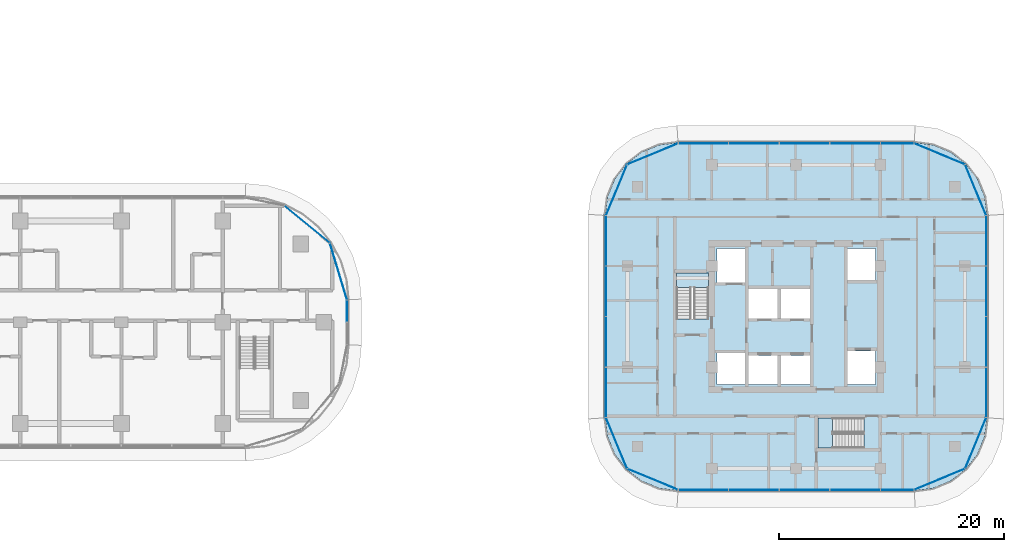
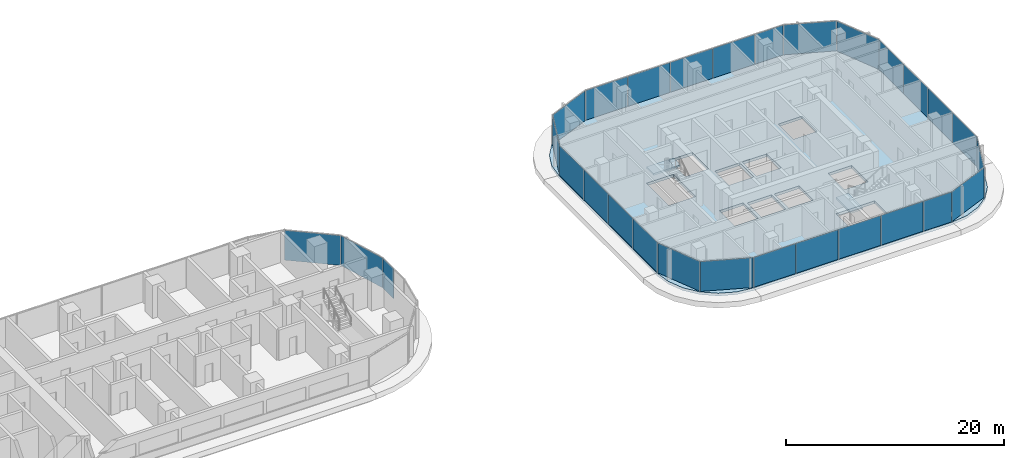
# One storey, part 16 of 36: 29 plates, 3 slabs, 12 elements without a shape of their own.
"""IFC4 building model written with IfcOpenShell, lengths in metres."""

from ifc_helpers import new_model, si_unit, direction, frame, origin, origin_2d, place, context, subcontext, project, spatial, polyline, rectangle, outline, extrude, material, layer, layer_set, type_object, element, aggregate, save


model = new_model("IFC4")

# Units and contexts
model_context = context("Model", 3, precision=1e-05, world=origin(), true_north=direction((0.0, 1.0)))
body_context = subcontext(model_context, "Body", "Model", "MODEL_VIEW")
ifc_project = project(units=[si_unit("LENGTHUNIT", "METRE"), si_unit("AREAUNIT", "SQUARE_METRE"), si_unit("VOLUMEUNIT", "CUBIC_METRE"), si_unit("PLANEANGLEUNIT", "RADIAN"), si_unit("MASSUNIT", "GRAM", prefix="KILO")], contexts=[model_context])

# Site, building, storey
site_placement = place(None, origin())
site = spatial("IfcSite", under=ifc_project, at=site_placement, CompositionType="ELEMENT")
building_placement = place(site_placement, origin())
building = spatial("IfcBuilding", under=site, at=building_placement, Name="Ogive Portal Towers", CompositionType="ELEMENT")
storey_placement = place(building_placement, frame((0.0, 0.0, 52.0)))
storey = spatial("IfcBuildingStorey", under=building, at=storey_placement, Name="L11", CompositionType="ELEMENT", Elevation=52.0)

# Curtain wall, plate
ifc_material_1 = material(Name="Glass, clear low-iron insulated glazing", Category="glass")
curtain_wall_type_1 = type_object("IfcCurtainWallType", Name="CW FRONT RIBBON 4500", PredefinedType="NOTDEFINED", material=ifc_material_1)
curtain_wall_1_placement = place(storey_placement, origin())
curtain_wall_1 = element("IfcCurtainWall", 1, at=curtain_wall_1_placement, inside=storey, type_object=curtain_wall_type_1, Name="A:L11:f12:cw0", PredefinedType="NOTDEFINED")
ifc_layer_1 = layer(ifc_material_1, 0.028076171875)
ifc_layer_set_1 = layer_set([ifc_layer_1], Name="CW PANEL IGU 28")
plate_type = type_object("IfcPlateType", Name="CW PANEL IGU 28", PredefinedType="CURTAIN_PANEL", material=ifc_layer_set_1)
plate_1_placement = place(storey_placement, frame((96.56494140625, 31.494140625, 0.0), z_axis=(0.0, 0.0, 1.0), x_axis=(0.0, 1.0, 0.0)))
plate_1 = element("IfcPlate", 2, at=plate_1_placement, type_object=plate_type, Name="panel", PredefinedType="CURTAIN_PANEL", context=body_context, shape_type="SweptSolid", body=[
    extrude(rectangle(XDim=1.92822265625, YDim=0.028076171875, at=origin_2d()), origin(), (0.0, 0.0, 1.0), 3.340087890625),
])
aggregate(curtain_wall_1, [plate_1])

# Curtain wall, plates
curtain_wall_2_placement = place(storey_placement, origin())
curtain_wall_2 = element("IfcCurtainWall", 3, at=curtain_wall_2_placement, inside=storey, type_object=curtain_wall_type_1, Name="A:L11:f13:cwa", PredefinedType="NOTDEFINED")
plate_2_placement = place(storey_placement, frame((95.799560546875, 35.01123046875, 0.0), z_axis=(0.0, 0.0, 1.0), x_axis=(-0.290284677254, 0.956940335732, 0.0)))
plate_2 = element("IfcPlate", 4, at=plate_2_placement, type_object=plate_type, Name="panel", PredefinedType="CURTAIN_PANEL", context=body_context, shape_type="SweptSolid", body=[
    extrude(rectangle(XDim=5.213134765625, YDim=0.028076171875, at=origin_2d()), origin(), (0.0, 0.0, 1.0), 3.340087890625),
])
plate_3_placement = place(storey_placement, frame((92.999267578125, 39.204345703125, 0.0), z_axis=(0.0, 0.0, 1.0), x_axis=(-0.773010453363, 0.634393284164, 0.0)))
plate_3 = element("IfcPlate", 5, at=plate_3_placement, type_object=plate_type, Name="panel", PredefinedType="CURTAIN_PANEL", context=body_context, shape_type="SweptSolid", body=[
    extrude(rectangle(XDim=5.205078125, YDim=0.028076171875, at=origin_2d()), origin(), (0.0, 0.0, 1.0), 3.340087890625),
])
aggregate(curtain_wall_2, [plate_2, plate_3])

curtain_wall_type_2 = type_object("IfcCurtainWallType", Name="CW RESIDENCES RIBBON", PredefinedType="NOTDEFINED", material=ifc_material_1)
curtain_wall_3_placement = place(storey_placement, origin())
curtain_wall_3 = element("IfcCurtainWall", 6, at=curtain_wall_3_placement, inside=storey, type_object=curtain_wall_type_2, Name="B:L11:f02:cw0", PredefinedType="NOTDEFINED")
plate_4_placement = place(storey_placement, frame((128.258056640625, 15.590087890625, 0.0), z_axis=(0.0, 0.0, 1.0), x_axis=(1.0, 0.0, 0.0)))
plate_4 = element("IfcPlate", 7, at=plate_4_placement, type_object=plate_type, Name="panel", PredefinedType="CURTAIN_PANEL", context=body_context, shape_type="SweptSolid", body=[
    extrude(rectangle(XDim=4.424072265625, YDim=0.028076171875, at=origin_2d()), origin(), (0.0, 0.0, 1.0), 3.340087890625),
])
plate_5_placement = place(storey_placement, frame((132.75, 15.590087890625, 0.0), z_axis=(0.0, 0.0, 1.0), x_axis=(1.0, 0.0, 0.0)))
plate_5 = element("IfcPlate", 8, at=plate_5_placement, type_object=plate_type, Name="panel", PredefinedType="CURTAIN_PANEL", context=body_context, shape_type="SweptSolid", body=[
    extrude(rectangle(XDim=4.43994140625, YDim=0.028076171875, at=origin_2d()), origin(), (0.0, 0.0, 1.0), 3.340087890625),
])
plate_6_placement = place(storey_placement, frame((137.25, 15.590087890625, 0.0), z_axis=(0.0, 0.0, 1.0), x_axis=(1.0, 0.0, 0.0)))
plate_6 = element("IfcPlate", 9, at=plate_6_placement, type_object=plate_type, Name="panel", PredefinedType="CURTAIN_PANEL", context=body_context, shape_type="SweptSolid", body=[
    extrude(rectangle(XDim=4.43994140625, YDim=0.028076171875, at=origin_2d()), origin(), (0.0, 0.0, 1.0), 3.340087890625),
])
plate_7_placement = place(storey_placement, frame((141.75, 15.590087890625, 0.0), z_axis=(0.0, 0.0, 1.0), x_axis=(1.0, 0.0, 0.0)))
plate_7 = element("IfcPlate", 10, at=plate_7_placement, type_object=plate_type, Name="panel", PredefinedType="CURTAIN_PANEL", context=body_context, shape_type="SweptSolid", body=[
    extrude(rectangle(XDim=4.43994140625, YDim=0.028076171875, at=origin_2d()), origin(), (0.0, 0.0, 1.0), 3.340087890625),
])
plate_8_placement = place(storey_placement, frame((145.491943359375, 15.590087890625, 0.0), z_axis=(0.0, 0.0, 1.0), x_axis=(1.0, 0.0, 0.0)))
plate_8 = element("IfcPlate", 11, at=plate_8_placement, type_object=plate_type, Name="panel", PredefinedType="CURTAIN_PANEL", context=body_context, shape_type="SweptSolid", body=[
    extrude(rectangle(XDim=2.924072265625, YDim=0.028076171875, at=origin_2d()), origin(), (0.0, 0.0, 1.0), 3.340087890625),
])
aggregate(curtain_wall_3, [plate_4, plate_5, plate_6, plate_7, plate_8])

curtain_wall_4_placement = place(storey_placement, origin())
curtain_wall_4 = element("IfcCurtainWall", 12, at=curtain_wall_4_placement, inside=storey, type_object=curtain_wall_type_2, Name="B:L11:f05:cw0", PredefinedType="NOTDEFINED")
plate_9_placement = place(storey_placement, frame((153.409912109375, 24.258056640625, 0.0), z_axis=(0.0, 0.0, 1.0), x_axis=(0.0, 1.0, 0.0)))
plate_9 = element("IfcPlate", 13, at=plate_9_placement, type_object=plate_type, Name="panel", PredefinedType="CURTAIN_PANEL", context=body_context, shape_type="SweptSolid", body=[
    extrude(rectangle(XDim=4.424072265625, YDim=0.028076171875, at=origin_2d()), origin(), (0.0, 0.0, 1.0), 3.340087890625),
])
plate_10_placement = place(storey_placement, frame((153.409912109375, 28.75, 0.0), z_axis=(0.0, 0.0, 1.0), x_axis=(0.0, 1.0, 0.0)))
plate_10 = element("IfcPlate", 14, at=plate_10_placement, type_object=plate_type, Name="panel", PredefinedType="CURTAIN_PANEL", context=body_context, shape_type="SweptSolid", body=[
    extrude(rectangle(XDim=4.43994140625, YDim=0.028076171875, at=origin_2d()), origin(), (0.0, 0.0, 1.0), 3.340087890625),
])
plate_11_placement = place(storey_placement, frame((153.409912109375, 33.25, 0.0), z_axis=(0.0, 0.0, 1.0), x_axis=(0.0, 1.0, 0.0)))
plate_11 = element("IfcPlate", 15, at=plate_11_placement, type_object=plate_type, Name="panel", PredefinedType="CURTAIN_PANEL", context=body_context, shape_type="SweptSolid", body=[
    extrude(rectangle(XDim=4.43994140625, YDim=0.028076171875, at=origin_2d()), origin(), (0.0, 0.0, 1.0), 3.340087890625),
])
plate_12_placement = place(storey_placement, frame((153.409912109375, 37.741943359375, 0.0), z_axis=(0.0, 0.0, 1.0), x_axis=(0.0, 1.0, 0.0)))
plate_12 = element("IfcPlate", 16, at=plate_12_placement, type_object=plate_type, Name="panel", PredefinedType="CURTAIN_PANEL", context=body_context, shape_type="SweptSolid", body=[
    extrude(rectangle(XDim=4.424072265625, YDim=0.028076171875, at=origin_2d()), origin(), (0.0, 0.0, 1.0), 3.340087890625),
])
aggregate(curtain_wall_4, [plate_9, plate_10, plate_11, plate_12])

curtain_wall_5_placement = place(storey_placement, origin())
curtain_wall_5 = element("IfcCurtainWall", 17, at=curtain_wall_5_placement, inside=storey, type_object=curtain_wall_type_2, Name="B:L11:f08:cw0", PredefinedType="NOTDEFINED")
plate_13_placement = place(storey_placement, frame((145.491943359375, 46.409912109375, 0.0), z_axis=(0.0, 0.0, 1.0), x_axis=(-1.0, 0.0, 0.0)))
plate_13 = element("IfcPlate", 18, at=plate_13_placement, type_object=plate_type, Name="panel", PredefinedType="CURTAIN_PANEL", context=body_context, shape_type="SweptSolid", body=[
    extrude(rectangle(XDim=2.924072265625, YDim=0.028076171875, at=origin_2d()), origin(), (0.0, 0.0, 1.0), 3.340087890625),
])
plate_14_placement = place(storey_placement, frame((141.75, 46.409912109375, 0.0), z_axis=(0.0, 0.0, 1.0), x_axis=(-1.0, 0.0, 0.0)))
plate_14 = element("IfcPlate", 19, at=plate_14_placement, type_object=plate_type, Name="panel", PredefinedType="CURTAIN_PANEL", context=body_context, shape_type="SweptSolid", body=[
    extrude(rectangle(XDim=4.43994140625, YDim=0.028076171875, at=origin_2d()), origin(), (0.0, 0.0, 1.0), 3.340087890625),
])
plate_15_placement = place(storey_placement, frame((137.25, 46.409912109375, 0.0), z_axis=(0.0, 0.0, 1.0), x_axis=(-1.0, 0.0, 0.0)))
plate_15 = element("IfcPlate", 20, at=plate_15_placement, type_object=plate_type, Name="panel", PredefinedType="CURTAIN_PANEL", context=body_context, shape_type="SweptSolid", body=[
    extrude(rectangle(XDim=4.43994140625, YDim=0.028076171875, at=origin_2d()), origin(), (0.0, 0.0, 1.0), 3.340087890625),
])
plate_16_placement = place(storey_placement, frame((132.75, 46.409912109375, 0.0), z_axis=(0.0, 0.0, 1.0), x_axis=(-1.0, 0.0, 0.0)))
plate_16 = element("IfcPlate", 21, at=plate_16_placement, type_object=plate_type, Name="panel", PredefinedType="CURTAIN_PANEL", context=body_context, shape_type="SweptSolid", body=[
    extrude(rectangle(XDim=4.43994140625, YDim=0.028076171875, at=origin_2d()), origin(), (0.0, 0.0, 1.0), 3.340087890625),
])
plate_17_placement = place(storey_placement, frame((128.258056640625, 46.409912109375, 0.0), z_axis=(0.0, 0.0, 1.0), x_axis=(-1.0, 0.0, 0.0)))
plate_17 = element("IfcPlate", 22, at=plate_17_placement, type_object=plate_type, Name="panel", PredefinedType="CURTAIN_PANEL", context=body_context, shape_type="SweptSolid", body=[
    extrude(rectangle(XDim=4.424072265625, YDim=0.028076171875, at=origin_2d()), origin(), (0.0, 0.0, 1.0), 3.340087890625),
])
aggregate(curtain_wall_5, [plate_13, plate_14, plate_15, plate_16, plate_17])

curtain_wall_6_placement = place(storey_placement, origin())
curtain_wall_6 = element("IfcCurtainWall", 23, at=curtain_wall_6_placement, inside=storey, type_object=curtain_wall_type_2, Name="B:L11:f11:cw0", PredefinedType="NOTDEFINED")
plate_18_placement = place(storey_placement, frame((119.590087890625, 37.741943359375, 0.0), z_axis=(0.0, 0.0, 1.0), x_axis=(0.0, -1.0, 0.0)))
plate_18 = element("IfcPlate", 24, at=plate_18_placement, type_object=plate_type, Name="panel", PredefinedType="CURTAIN_PANEL", context=body_context, shape_type="SweptSolid", body=[
    extrude(rectangle(XDim=4.424072265625, YDim=0.028076171875, at=origin_2d()), origin(), (0.0, 0.0, 1.0), 3.340087890625),
])
plate_19_placement = place(storey_placement, frame((119.590087890625, 33.25, 0.0), z_axis=(0.0, 0.0, 1.0), x_axis=(0.0, -1.0, 0.0)))
plate_19 = element("IfcPlate", 25, at=plate_19_placement, type_object=plate_type, Name="panel", PredefinedType="CURTAIN_PANEL", context=body_context, shape_type="SweptSolid", body=[
    extrude(rectangle(XDim=4.43994140625, YDim=0.028076171875, at=origin_2d()), origin(), (0.0, 0.0, 1.0), 3.340087890625),
])
plate_20_placement = place(storey_placement, frame((119.590087890625, 28.75, 0.0), z_axis=(0.0, 0.0, 1.0), x_axis=(0.0, -1.0, 0.0)))
plate_20 = element("IfcPlate", 26, at=plate_20_placement, type_object=plate_type, Name="panel", PredefinedType="CURTAIN_PANEL", context=body_context, shape_type="SweptSolid", body=[
    extrude(rectangle(XDim=4.43994140625, YDim=0.028076171875, at=origin_2d()), origin(), (0.0, 0.0, 1.0), 3.340087890625),
])
plate_21_placement = place(storey_placement, frame((119.590087890625, 24.258056640625, 0.0), z_axis=(0.0, 0.0, 1.0), x_axis=(0.0, -1.0, 0.0)))
plate_21 = element("IfcPlate", 27, at=plate_21_placement, type_object=plate_type, Name="panel", PredefinedType="CURTAIN_PANEL", context=body_context, shape_type="SweptSolid", body=[
    extrude(rectangle(XDim=4.424072265625, YDim=0.028076171875, at=origin_2d()), origin(), (0.0, 0.0, 1.0), 3.340087890625),
])
aggregate(curtain_wall_6, [plate_18, plate_19, plate_20, plate_21])

curtain_wall_7_placement = place(storey_placement, origin())
curtain_wall_7 = element("IfcCurtainWall", 28, at=curtain_wall_7_placement, inside=storey, type_object=curtain_wall_type_2, Name="B:L11:f00:cwa", PredefinedType="NOTDEFINED")
plate_22_placement = place(storey_placement, frame((120.531005859375, 19.743896484375, 0.0), z_axis=(0.0, 0.0, 1.0), x_axis=(0.382683432365, -0.923879532511, 0.0)))
plate_22 = element("IfcPlate", 29, at=plate_22_placement, type_object=plate_type, Name="panel", PredefinedType="CURTAIN_PANEL", context=body_context, shape_type="SweptSolid", body=[
    extrude(rectangle(XDim=4.858154296875, YDim=0.028076171875, at=origin_2d()), origin(), (0.0, 0.0, 1.0), 3.340087890625),
])
plate_23_placement = place(storey_placement, frame((123.743896484375, 16.531005859375, 0.0), z_axis=(0.0, 0.0, 1.0), x_axis=(0.923879532511, -0.382683432365, 0.0)))
plate_23 = element("IfcPlate", 30, at=plate_23_placement, type_object=plate_type, Name="panel", PredefinedType="CURTAIN_PANEL", context=body_context, shape_type="SweptSolid", body=[
    extrude(rectangle(XDim=4.858154296875, YDim=0.028076171875, at=origin_2d()), origin(), (0.0, 0.0, 1.0), 3.340087890625),
])
aggregate(curtain_wall_7, [plate_22, plate_23])

curtain_wall_8_placement = place(storey_placement, origin())
curtain_wall_8 = element("IfcCurtainWall", 31, at=curtain_wall_8_placement, inside=storey, type_object=curtain_wall_type_2, Name="B:L11:f03:cwa", PredefinedType="NOTDEFINED")
plate_24_placement = place(storey_placement, frame((149.256103515625, 16.531005859375, 0.0), z_axis=(0.0, 0.0, 1.0), x_axis=(0.923879532511, 0.382683432365, 0.0)))
plate_24 = element("IfcPlate", 32, at=plate_24_placement, type_object=plate_type, Name="panel", PredefinedType="CURTAIN_PANEL", context=body_context, shape_type="SweptSolid", body=[
    extrude(rectangle(XDim=4.858154296875, YDim=0.028076171875, at=origin_2d()), origin(), (0.0, 0.0, 1.0), 3.340087890625),
])
plate_25_placement = place(storey_placement, frame((152.468994140625, 19.743896484375, 0.0), z_axis=(0.0, 0.0, 1.0), x_axis=(0.382683432365, 0.923879532511, 0.0)))
plate_25 = element("IfcPlate", 33, at=plate_25_placement, type_object=plate_type, Name="panel", PredefinedType="CURTAIN_PANEL", context=body_context, shape_type="SweptSolid", body=[
    extrude(rectangle(XDim=4.858154296875, YDim=0.028076171875, at=origin_2d()), origin(), (0.0, 0.0, 1.0), 3.340087890625),
])
aggregate(curtain_wall_8, [plate_24, plate_25])

curtain_wall_9_placement = place(storey_placement, origin())
curtain_wall_9 = element("IfcCurtainWall", 34, at=curtain_wall_9_placement, inside=storey, type_object=curtain_wall_type_2, Name="B:L11:f06:cwa", PredefinedType="NOTDEFINED")
plate_26_placement = place(storey_placement, frame((152.468994140625, 42.256103515625, 0.0), z_axis=(0.0, 0.0, 1.0), x_axis=(-0.382683432365, 0.923879532511, 0.0)))
plate_26 = element("IfcPlate", 35, at=plate_26_placement, type_object=plate_type, Name="panel", PredefinedType="CURTAIN_PANEL", context=body_context, shape_type="SweptSolid", body=[
    extrude(rectangle(XDim=4.858154296875, YDim=0.028076171875, at=origin_2d()), origin(), (0.0, 0.0, 1.0), 3.340087890625),
])
plate_27_placement = place(storey_placement, frame((149.256103515625, 45.468994140625, 0.0), z_axis=(0.0, 0.0, 1.0), x_axis=(-0.923879532511, 0.382683432365, 0.0)))
plate_27 = element("IfcPlate", 36, at=plate_27_placement, type_object=plate_type, Name="panel", PredefinedType="CURTAIN_PANEL", context=body_context, shape_type="SweptSolid", body=[
    extrude(rectangle(XDim=4.858154296875, YDim=0.028076171875, at=origin_2d()), origin(), (0.0, 0.0, 1.0), 3.340087890625),
])
aggregate(curtain_wall_9, [plate_26, plate_27])

curtain_wall_10_placement = place(storey_placement, origin())
curtain_wall_10 = element("IfcCurtainWall", 37, at=curtain_wall_10_placement, inside=storey, type_object=curtain_wall_type_2, Name="B:L11:f09:cwa", PredefinedType="NOTDEFINED")
plate_28_placement = place(storey_placement, frame((123.743896484375, 45.468994140625, 0.0), z_axis=(0.0, 0.0, 1.0), x_axis=(-0.923879532511, -0.382683432365, 0.0)))
plate_28 = element("IfcPlate", 38, at=plate_28_placement, type_object=plate_type, Name="panel", PredefinedType="CURTAIN_PANEL", context=body_context, shape_type="SweptSolid", body=[
    extrude(rectangle(XDim=4.858154296875, YDim=0.028076171875, at=origin_2d()), origin(), (0.0, 0.0, 1.0), 3.340087890625),
])
plate_29_placement = place(storey_placement, frame((120.531005859375, 42.256103515625, 0.0), z_axis=(0.0, 0.0, 1.0), x_axis=(-0.382683432365, -0.923879532511, 0.0)))
plate_29 = element("IfcPlate", 39, at=plate_29_placement, type_object=plate_type, Name="panel", PredefinedType="CURTAIN_PANEL", context=body_context, shape_type="SweptSolid", body=[
    extrude(rectangle(XDim=4.858154296875, YDim=0.028076171875, at=origin_2d()), origin(), (0.0, 0.0, 1.0), 3.340087890625),
])
aggregate(curtain_wall_10, [plate_28, plate_29])

# Stair, slab
ifc_material_2 = material(Name="Concrete C40/50", Category="concrete")
stair_type = type_object("IfcStairType", Name="INT-STAIR", PredefinedType="HALF_TURN_STAIR", material=ifc_material_2)
stair_1_placement = place(storey_placement, origin())
stair_1 = element("IfcStair", 40, at=stair_1_placement, inside=storey, type_object=stair_type, Name="L11 Exit Stair ST-B1", PredefinedType="HALF_TURN_STAIR")
ifc_layer_2 = layer(ifc_material_2, 0.199951171875)
ifc_layer_set_2 = layer_set([ifc_layer_2], Name="INT-LANDING")
slab_type_1 = type_object("IfcSlabType", Name="INT-LANDING", PredefinedType="LANDING", material=ifc_layer_set_2)
slab_1_placement = place(storey_placement, frame((0.0, 0.0, 1.64990234375)))
slab_1 = element("IfcSlab", 41, at=slab_1_placement, type_object=slab_type_1, Name="ST-B1 landing 1", PredefinedType="LANDING", context=body_context, shape_type="SweptSolid", body=[
    extrude(outline(polyline([(128.699951171875, 33.60009765625), (128.699951171875, 34.89990234375), (125.85009765625, 34.89990234375), (125.85009765625, 33.60009765625), (128.699951171875, 33.60009765625)])), origin(), (0.0, 0.0, 1.0), 0.2001953125),
])
aggregate(stair_1, [slab_1])

stair_2_placement = place(storey_placement, origin())
stair_2 = element("IfcStair", 42, at=stair_2_placement, inside=storey, type_object=stair_type, Name="L11 Exit Stair ST-B2", PredefinedType="HALF_TURN_STAIR")
slab_2_placement = place(storey_placement, frame((0.0, 0.0, 1.64990234375)))
slab_2 = element("IfcSlab", 43, at=slab_2_placement, type_object=slab_type_1, Name="ST-B2 landing 1", PredefinedType="LANDING", context=body_context, shape_type="SweptSolid", body=[
    extrude(outline(polyline([(139.75, 22.0), (138.449951171875, 22.0), (138.449951171875, 19.300048828125), (139.75, 19.300048828125), (139.75, 22.0)])), origin(), (0.0, 0.0, 1.0), 0.2001953125),
])
aggregate(stair_2, [slab_2])

# Slab
ifc_material_3 = material(Name="Concrete C45/55", Category="concrete")
ifc_layer_3 = layer(ifc_material_3, 0.300048828125)
ifc_layer_set_3 = layer_set([ifc_layer_3], Name="PT FLAT PLATE 300")
slab_type_2 = type_object("IfcSlabType", Name="PT FLAT PLATE 300", PredefinedType="FLOOR", material=ifc_layer_set_3)
slab_3_placement = place(storey_placement, frame((0.0, 0.0, -0.300048828125)))
element("IfcSlab", 44, at=slab_3_placement, inside=storey, type_object=slab_type_2, Name="Floor slab L11", PredefinedType="FLOOR", context=body_context, shape_type="SweptSolid", body=[
    extrude(outline(polyline([(119.510009765625, 40.0), (119.510009765625, 22.0), (119.731201171875, 20.3203125), (120.37939453125, 18.7548828125), (121.410888671875, 17.410888671875), (122.7548828125, 16.37939453125), (124.3203125, 15.731201171875), (126.0, 15.510009765625), (147.0, 15.510009765625), (148.6796875, 15.731201171875), (150.2451171875, 16.37939453125), (151.589111328125, 17.410888671875), (152.62060546875, 18.7548828125), (153.268798828125, 20.3203125), (153.489990234375, 22.0), (153.489990234375, 40.0), (153.268798828125, 41.6796875), (152.62060546875, 43.2451171875), (151.589111328125, 44.589111328125), (150.2451171875, 45.62060546875), (148.6796875, 46.268798828125), (147.0, 46.489990234375), (126.0, 46.489990234375), (124.3203125, 46.268798828125), (122.7548828125, 45.62060546875), (121.410888671875, 44.589111328125), (120.37939453125, 43.2451171875), (119.731201171875, 41.6796875), (119.510009765625, 40.0)]), holes=[polyline([(131.949951171875, 27.75), (131.949951171875, 24.949951171875), (129.449951171875, 24.949951171875), (129.449951171875, 27.75), (131.949951171875, 27.75)]), polyline([(128.697998046875, 34.89794921875), (128.697998046875, 30.802001953125), (125.85205078125, 30.802001953125), (125.85205078125, 34.89794921875), (128.697998046875, 34.89794921875)]), polyline([(131.949951171875, 37.050048828125), (131.949951171875, 34.050048828125), (129.449951171875, 34.050048828125), (129.449951171875, 37.050048828125), (131.949951171875, 37.050048828125)]), polyline([(138.451904296875, 21.998046875), (142.548095703125, 21.998046875), (142.548095703125, 19.302001953125), (138.451904296875, 19.302001953125), (138.451904296875, 21.998046875)]), polyline([(134.85009765625, 27.550048828125), (134.85009765625, 24.949951171875), (132.25, 24.949951171875), (132.25, 27.550048828125), (134.85009765625, 27.550048828125)]), polyline([(137.75, 27.550048828125), (137.75, 24.949951171875), (135.14990234375, 24.949951171875), (135.14990234375, 27.550048828125), (137.75, 27.550048828125)]), polyline([(143.550048828125, 27.949951171875), (143.550048828125, 24.949951171875), (141.050048828125, 24.949951171875), (141.050048828125, 27.949951171875), (143.550048828125, 27.949951171875)]), polyline([(134.85009765625, 33.449951171875), (134.85009765625, 30.85009765625), (132.25, 30.85009765625), (132.25, 33.449951171875), (134.85009765625, 33.449951171875)]), polyline([(137.75, 33.449951171875), (137.75, 30.85009765625), (135.14990234375, 30.85009765625), (135.14990234375, 33.449951171875), (137.75, 33.449951171875)]), polyline([(141.050048828125, 37.050048828125), (143.550048828125, 37.050048828125), (143.550048828125, 34.25), (141.050048828125, 34.25), (141.050048828125, 37.050048828125)])]), origin(), (0.0, 0.0, 1.0), 0.300048828125),
])

save(model, "model.ifc")
